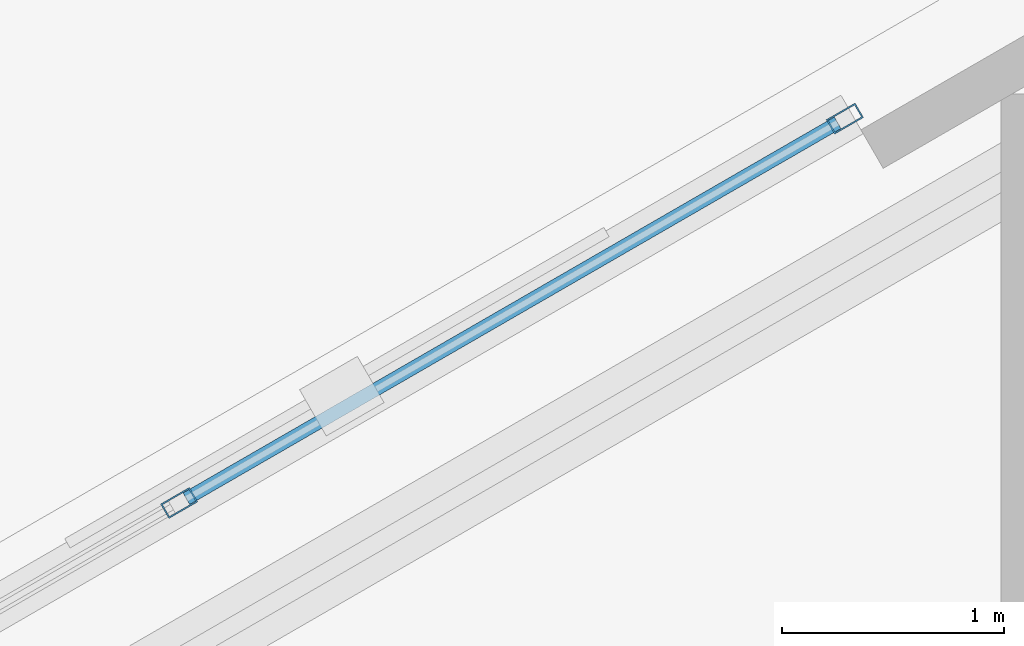
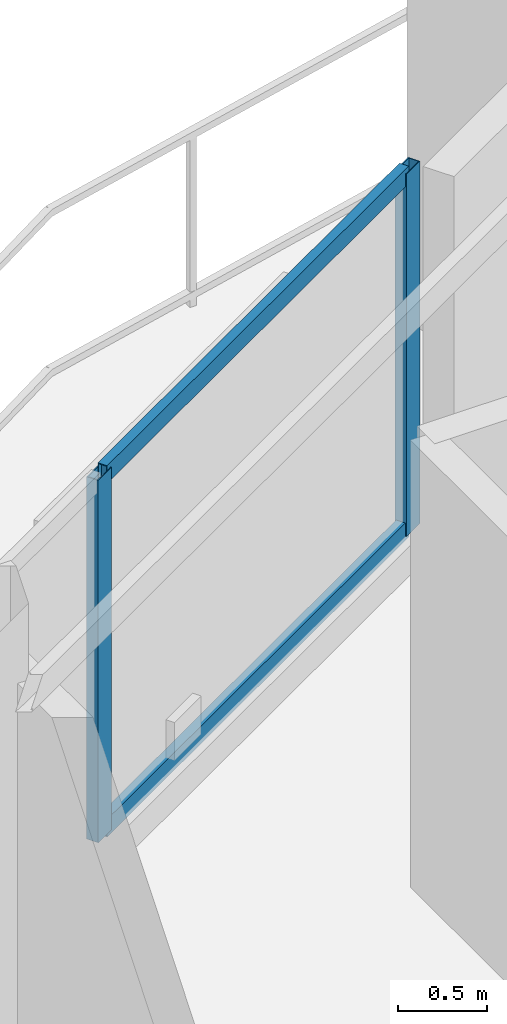
# One storey, part 10 of 19: 4 members, 1 element without a shape of its own.
"""IFC4 building model written with IfcOpenShell, lengths in metres."""

from ifc_helpers import new_model, si_unit, direction, frame, origin, origin_2d, place, context, subcontext, project, spatial, hollow_rectangle, extrude, material, layer, layer_set, material_profile, profile_set, type_object, element, aggregate, save


model = new_model("IFC4")

# Units and contexts
model_context = context("Model", 3, precision=1e-05, world=origin(), true_north=direction((0.0, 1.0)))
body_context = subcontext(model_context, "Body", "Model", "MODEL_VIEW")
ifc_project = project(units=[si_unit("LENGTHUNIT", "METRE"), si_unit("AREAUNIT", "SQUARE_METRE"), si_unit("VOLUMEUNIT", "CUBIC_METRE"), si_unit("PLANEANGLEUNIT", "RADIAN"), si_unit("MASSUNIT", "GRAM", prefix="KILO")], contexts=[model_context])

# Site, building, storey
site_placement = place(None, origin())
site = spatial("IfcSite", under=ifc_project, at=site_placement, CompositionType="ELEMENT")
building_placement = place(site_placement, origin())
building = spatial("IfcBuilding", under=site, at=building_placement, Name="Mersakhor Tower and Convention Hall", CompositionType="ELEMENT")
storey_placement = place(building_placement, frame((0.0, 0.0, 144.300048828125)))
storey = spatial("IfcBuildingStorey", under=building, at=storey_placement, Name="L40", CompositionType="ELEMENT", Elevation=144.300048828125)

# Curtain wall, members
ifc_material_1 = material(Name="Dark solar low-E aluminium curtain wall", Category="aluminium")
ifc_layer = layer(ifc_material_1, 0.169921875)
ifc_layer_set = layer_set([ifc_layer], Name="Dark solar low-E aluminium curtain wall")
curtain_wall_type = type_object("IfcCurtainWallType", Name="CW-SYS-02", PredefinedType="USERDEFINED", material=ifc_layer_set)
curtain_wall_placement = place(storey_placement, origin())
curtain_wall = element("IfcCurtainWall", 1, at=curtain_wall_placement, inside=storey, type_object=curtain_wall_type, Name="L40 Dark-Glass Curtain Wall F1-B2", ObjectType="CURTAIN WALL", PredefinedType="USERDEFINED")
ifc_material_2 = material(Name="Anodised aluminium EN AW-6063 T6", Category="aluminium")
ifc_material_profile_1 = material_profile(ifc_material_2, hollow_rectangle(XDim=0.074951171875, YDim=0.14990234375, WallThickness=0.00634765625, at=origin_2d()), Name="RHS 150x75x6.3")
ifc_profile_set_1 = profile_set([ifc_material_profile_1], Name="Anodised aluminium EN AW-6063 T6")
member_type_1 = type_object("IfcMemberType", Name="CWM-150x75", PredefinedType="MULLION", material=ifc_profile_set_1)
member_1_placement = place(storey_placement, frame((23.904052734375, 39.072021484375, 0.199951171875), z_axis=(0.0, 0.0, 1.0), x_axis=(-0.499990468363, 0.866030906807, 0.0)))
member_1 = element("IfcMember", 2, at=member_1_placement, type_object=member_type_1, Name="CW-02 mullion 3", PredefinedType="MULLION", context=body_context, shape_type="SweptSolid", body=[
    extrude(hollow_rectangle(XDim=0.074951171875, YDim=0.14990234375, WallThickness=0.00634765625, at=origin_2d()), origin(), (0.0, 0.0, 1.0), 2.47998046875),
])
member_2_placement = place(storey_placement, frame((26.8984375, 40.80078125, 0.199951171875), z_axis=(0.0, 0.0, 1.0), x_axis=(-0.499990468363, 0.866030906807, 0.0)))
member_2 = element("IfcMember", 3, at=member_2_placement, type_object=member_type_1, Name="CW-02 mullion 4", PredefinedType="MULLION", context=body_context, shape_type="SweptSolid", body=[
    extrude(hollow_rectangle(XDim=0.074951171875, YDim=0.14990234375, WallThickness=0.00634765625, at=origin_2d()), origin(), (0.0, 0.0, 1.0), 2.47998046875),
])
ifc_material_3 = material(Name="Anodised aluminium EN AW-6063 T6", Category="aluminium")
ifc_material_profile_2 = material_profile(ifc_material_3, hollow_rectangle(XDim=0.06005859375, YDim=0.1201171875, WallThickness=0.0048828125, at=origin_2d()), Name="RHS 120x60x5")
ifc_profile_set_2 = profile_set([ifc_material_profile_2], Name="Anodised aluminium EN AW-6063 T6")
member_type_2 = type_object("IfcMemberType", Name="CWT-120x60", PredefinedType="USERDEFINED", material=ifc_profile_set_2)
member_3_placement = place(storey_placement, frame((23.9365234375, 39.0908203125, 0.22998046875), z_axis=(0.866044963944, 0.49996611928, 0.0), x_axis=(-0.49996611928, 0.866044963944, 0.0)))
member_3 = element("IfcMember", 4, at=member_3_placement, type_object=member_type_2, Name="CW-02 transom 3.1", ObjectType="TRANSOM", PredefinedType="USERDEFINED", context=body_context, shape_type="SweptSolid", body=[
    extrude(hollow_rectangle(XDim=0.06005859375, YDim=0.1201171875, WallThickness=0.0048828125, at=origin_2d()), origin(), (0.0, 0.0, 1.0), 3.382568359375),
])
member_4_placement = place(storey_placement, frame((23.9365234375, 39.0908203125, 2.64990234375), z_axis=(0.866044963944, 0.49996611928, 0.0), x_axis=(-0.49996611928, 0.866044963944, 0.0)))
member_4 = element("IfcMember", 5, at=member_4_placement, type_object=member_type_2, Name="CW-02 transom 3.2", ObjectType="TRANSOM", PredefinedType="USERDEFINED", context=body_context, shape_type="SweptSolid", body=[
    extrude(hollow_rectangle(XDim=0.06005859375, YDim=0.1201171875, WallThickness=0.0048828125, at=origin_2d()), origin(), (0.0, 0.0, 1.0), 3.382568359375),
])
aggregate(curtain_wall, [member_1, member_2, member_3, member_4])

save(model, "model.ifc")
